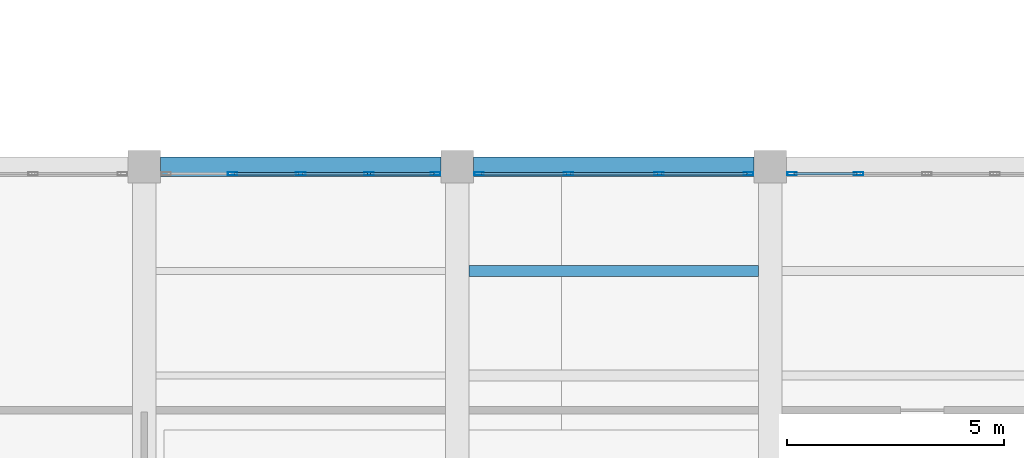
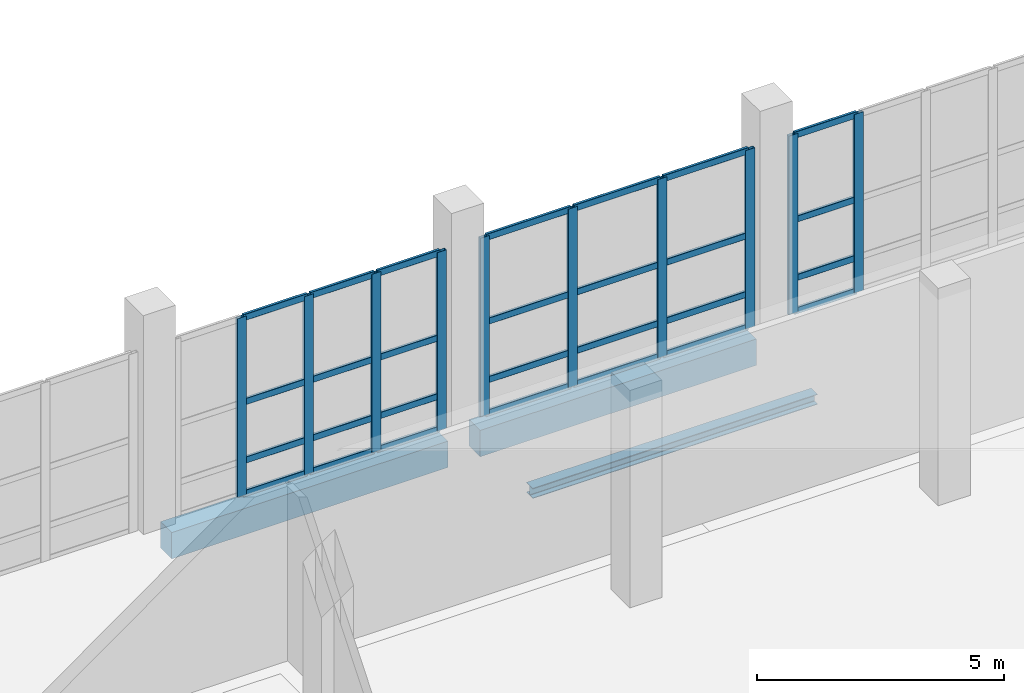
# One storey, part 38 of 137: 38 members, 3 beams, 3 elements without a shape of their own.
"""IFC4 building model written with IfcOpenShell, lengths in metres."""

from ifc_helpers import new_model, si_unit, direction, frame, origin, origin_2d, place, context, subcontext, project, spatial, rectangle, hollow_rectangle, i_section, extrude, material, material_profile, profile_set, type_object, element, aggregate, save


model = new_model("IFC4")

# Units and contexts
model_context = context("Model", 3, precision=1e-05, world=origin(), true_north=direction((0.0, 1.0)))
body_context = subcontext(model_context, "Body", "Model", "MODEL_VIEW")
ifc_project = project(units=[si_unit("LENGTHUNIT", "METRE"), si_unit("AREAUNIT", "SQUARE_METRE"), si_unit("VOLUMEUNIT", "CUBIC_METRE"), si_unit("PLANEANGLEUNIT", "RADIAN"), si_unit("MASSUNIT", "GRAM", prefix="KILO")], contexts=[model_context])

# Site, building, storey
site_placement = place(None, origin())
site = spatial("IfcSite", under=ifc_project, at=site_placement, CompositionType="ELEMENT")
building_placement = place(site_placement, origin())
building = spatial("IfcBuilding", under=site, at=building_placement, Name="Kalmorath City Hall", CompositionType="ELEMENT")
storey_placement = place(building_placement, origin())
storey = spatial("IfcBuildingStorey", under=building, at=storey_placement, Name="L00", CompositionType="ELEMENT", Elevation=0.0)

# Beams
ifc_material_1 = material(Name="Concrete C40/50", Category="concrete")
ifc_material_profile_1 = material_profile(ifc_material_1, rectangle(XDim=0.449951171875, YDim=0.64990234375, at=origin_2d()), Name="RC-BM-450X650")
ifc_profile_set_1 = profile_set([ifc_material_profile_1], Name="Concrete C40/50")
beam_type_1 = type_object("IfcBeamType", Name="Concrete spandrel beam 450x650", PredefinedType="SPANDREL", material=ifc_profile_set_1)
beam_1_placement = place(storey_placement, frame((79.574951171875, 43.199951171875, -0.62890625), z_axis=(1.0, 0.0, 0.0), x_axis=(0.0, 1.0, 0.0)))
element("IfcBeam", 1, at=beam_1_placement, inside=storey, type_object=beam_type_1, Name="L00 girder CB5 X12-13/7", PredefinedType="SPANDREL", context=body_context, shape_type="SweptSolid", body=[
    extrude(rectangle(XDim=0.449951171875, YDim=0.64990234375, at=origin_2d()), origin(), (0.0, 0.0, 1.0), 6.449951171875),
])
beam_2_placement = place(storey_placement, frame((86.77490234375, 43.199951171875, -0.62890625), z_axis=(1.0, 0.0, 0.0), x_axis=(0.0, 1.0, 0.0)))
element("IfcBeam", 2, at=beam_2_placement, inside=storey, type_object=beam_type_1, Name="L00 girder CB5 X13-14/7", PredefinedType="SPANDREL", context=body_context, shape_type="SweptSolid", body=[
    extrude(rectangle(XDim=0.449951171875, YDim=0.64990234375, at=origin_2d()), origin(), (0.0, 0.0, 1.0), 6.4501953125),
])

# Curtain wall, members
ifc_material_2 = material(Name="Anodised aluminium and laminated glass", Category="aluminium")
curtain_wall_type_1 = type_object("IfcCurtainWallType", Name="Unitised hurricane curtain wall 6270x4411 M1500", PredefinedType="NOTDEFINED", material=ifc_material_2)
curtain_wall_1_placement = place(storey_placement, origin())
curtain_wall_1 = element("IfcCurtainWall", 3, at=curtain_wall_1_placement, inside=storey, type_object=curtain_wall_type_1, Name="L00 curtain wall CW-63X44M15 #34", PredefinedType="NOTDEFINED")
ifc_material_3 = material(Name="Anodised aluminium framing", Category="aluminium")
ifc_material_profile_2 = material_profile(ifc_material_3, hollow_rectangle(XDim=0.074951171875, YDim=0.219970703125, WallThickness=0.00390625, InnerFilletRadius=0.00390625, OuterFilletRadius=0.008056640625, at=origin_2d()), Name="ALU-MUL-220X75X4")
ifc_profile_set_2 = profile_set([ifc_material_profile_2], Name="Anodised aluminium framing")
member_type_1 = type_object("IfcMemberType", Name="Curtain-wall primary mullion 220x75", PredefinedType="MULLION", material=ifc_profile_set_2)
member_1_placement = place(storey_placement, frame((81.232421875, 43.0400390625, 0.0), z_axis=(0.0, 0.0, 1.0), x_axis=(0.0, 1.0, 0.0)))
member_1 = element("IfcMember", 4, at=member_1_placement, type_object=member_type_1, Name="CW-63X44M15 mullion 2", PredefinedType="MULLION", context=body_context, shape_type="SweptSolid", body=[
    extrude(hollow_rectangle(XDim=0.074951171875, YDim=0.219970703125, WallThickness=0.00390625, InnerFilletRadius=0.00390625, OuterFilletRadius=0.008056640625, at=origin_2d()), origin(), (0.0, 0.0, 1.0), 4.410888671875),
])
member_2_placement = place(storey_placement, frame((82.800048828125, 43.0400390625, 0.0), z_axis=(0.0, 0.0, 1.0), x_axis=(0.0, 1.0, 0.0)))
member_2 = element("IfcMember", 5, at=member_2_placement, type_object=member_type_1, Name="CW-63X44M15 mullion 3", PredefinedType="MULLION", context=body_context, shape_type="SweptSolid", body=[
    extrude(hollow_rectangle(XDim=0.074951171875, YDim=0.219970703125, WallThickness=0.00390625, InnerFilletRadius=0.00390625, OuterFilletRadius=0.008056640625, at=origin_2d()), origin(), (0.0, 0.0, 1.0), 4.410888671875),
])
member_3_placement = place(storey_placement, frame((84.367431640625, 43.0400390625, 0.0), z_axis=(0.0, 0.0, 1.0), x_axis=(0.0, 1.0, 0.0)))
member_3 = element("IfcMember", 6, at=member_3_placement, type_object=member_type_1, Name="CW-63X44M15 mullion 4", PredefinedType="MULLION", context=body_context, shape_type="SweptSolid", body=[
    extrude(hollow_rectangle(XDim=0.074951171875, YDim=0.219970703125, WallThickness=0.00390625, InnerFilletRadius=0.00390625, OuterFilletRadius=0.008056640625, at=origin_2d()), origin(), (0.0, 0.0, 1.0), 4.410888671875),
])
member_4_placement = place(storey_placement, frame((85.8974609375, 43.0400390625, 0.0), z_axis=(0.0, 0.0, 1.0), x_axis=(0.0, 1.0, 0.0)))
member_4 = element("IfcMember", 7, at=member_4_placement, type_object=member_type_1, Name="CW-63X44M15 mullion 5", PredefinedType="MULLION", context=body_context, shape_type="SweptSolid", body=[
    extrude(hollow_rectangle(XDim=0.074951171875, YDim=0.219970703125, WallThickness=0.00390625, InnerFilletRadius=0.00390625, OuterFilletRadius=0.008056640625, at=origin_2d()), origin(), (0.0, 0.0, 1.0), 4.410888671875),
])

ifc_material_4 = material(Name="Anodised aluminium and laminated glass", Category="aluminium")
curtain_wall_type_2 = type_object("IfcCurtainWallType", Name="Unitised hurricane curtain wall 6270x4411 M2100", PredefinedType="NOTDEFINED", material=ifc_material_4)
curtain_wall_2_placement = place(storey_placement, origin())
curtain_wall_2 = element("IfcCurtainWall", 8, at=curtain_wall_2_placement, inside=storey, type_object=curtain_wall_type_2, Name="L00 curtain wall CW-63X44M21 #35", PredefinedType="NOTDEFINED")
member_5_placement = place(storey_placement, frame((86.902587890625, 43.0400390625, 0.0), z_axis=(0.0, 0.0, 1.0), x_axis=(0.0, 1.0, 0.0)))
member_5 = element("IfcMember", 9, at=member_5_placement, type_object=member_type_1, Name="CW-63X44M21 mullion 1", PredefinedType="MULLION", context=body_context, shape_type="SweptSolid", body=[
    extrude(hollow_rectangle(XDim=0.074951171875, YDim=0.219970703125, WallThickness=0.00390625, InnerFilletRadius=0.00390625, OuterFilletRadius=0.008056640625, at=origin_2d()), origin(), (0.0, 0.0, 1.0), 4.410888671875),
])
member_6_placement = place(storey_placement, frame((88.955078125, 43.0400390625, 0.0), z_axis=(0.0, 0.0, 1.0), x_axis=(0.0, 1.0, 0.0)))
member_6 = element("IfcMember", 10, at=member_6_placement, type_object=member_type_1, Name="CW-63X44M21 mullion 2", PredefinedType="MULLION", context=body_context, shape_type="SweptSolid", body=[
    extrude(hollow_rectangle(XDim=0.074951171875, YDim=0.219970703125, WallThickness=0.00390625, InnerFilletRadius=0.00390625, OuterFilletRadius=0.008056640625, at=origin_2d()), origin(), (0.0, 0.0, 1.0), 4.410888671875),
])
member_7_placement = place(storey_placement, frame((91.044921875, 43.0400390625, 0.0), z_axis=(0.0, 0.0, 1.0), x_axis=(0.0, 1.0, 0.0)))
member_7 = element("IfcMember", 11, at=member_7_placement, type_object=member_type_1, Name="CW-63X44M21 mullion 3", PredefinedType="MULLION", context=body_context, shape_type="SweptSolid", body=[
    extrude(hollow_rectangle(XDim=0.074951171875, YDim=0.219970703125, WallThickness=0.00390625, InnerFilletRadius=0.00390625, OuterFilletRadius=0.008056640625, at=origin_2d()), origin(), (0.0, 0.0, 1.0), 4.410888671875),
])
member_8_placement = place(storey_placement, frame((93.097412109375, 43.0400390625, 0.0), z_axis=(0.0, 0.0, 1.0), x_axis=(0.0, 1.0, 0.0)))
member_8 = element("IfcMember", 12, at=member_8_placement, type_object=member_type_1, Name="CW-63X44M21 mullion 4", PredefinedType="MULLION", context=body_context, shape_type="SweptSolid", body=[
    extrude(hollow_rectangle(XDim=0.074951171875, YDim=0.219970703125, WallThickness=0.00390625, InnerFilletRadius=0.00390625, OuterFilletRadius=0.008056640625, at=origin_2d()), origin(), (0.0, 0.0, 1.0), 4.410888671875),
])

curtain_wall_3_placement = place(storey_placement, origin())
curtain_wall_3 = element("IfcCurtainWall", 13, at=curtain_wall_3_placement, inside=storey, type_object=curtain_wall_type_1, Name="L00 curtain wall CW-63X44M15 #36", PredefinedType="NOTDEFINED")
member_9_placement = place(storey_placement, frame((94.1025390625, 43.0400390625, 0.0), z_axis=(0.0, 0.0, 1.0), x_axis=(0.0, 1.0, 0.0)))
member_9 = element("IfcMember", 14, at=member_9_placement, type_object=member_type_1, Name="CW-63X44M15 mullion 1", PredefinedType="MULLION", context=body_context, shape_type="SweptSolid", body=[
    extrude(hollow_rectangle(XDim=0.074951171875, YDim=0.219970703125, WallThickness=0.00390625, InnerFilletRadius=0.00390625, OuterFilletRadius=0.008056640625, at=origin_2d()), origin(), (0.0, 0.0, 1.0), 4.410888671875),
])
member_10_placement = place(storey_placement, frame((95.632568359375, 43.0400390625, 0.0), z_axis=(0.0, 0.0, 1.0), x_axis=(0.0, 1.0, 0.0)))
member_10 = element("IfcMember", 15, at=member_10_placement, type_object=member_type_1, Name="CW-63X44M15 mullion 2", PredefinedType="MULLION", context=body_context, shape_type="SweptSolid", body=[
    extrude(hollow_rectangle(XDim=0.074951171875, YDim=0.219970703125, WallThickness=0.00390625, InnerFilletRadius=0.00390625, OuterFilletRadius=0.008056640625, at=origin_2d()), origin(), (0.0, 0.0, 1.0), 4.410888671875),
])

# Member
ifc_material_5 = material(Name="Anodised aluminium framing", Category="aluminium")
ifc_material_profile_3 = material_profile(ifc_material_5, hollow_rectangle(XDim=0.06494140625, YDim=0.159912109375, WallThickness=0.00390625, InnerFilletRadius=0.00390625, OuterFilletRadius=0.008056640625, at=origin_2d()), Name="ALU-TRN-160X65X4")
ifc_profile_set_3 = profile_set([ifc_material_profile_3], Name="Anodised aluminium framing")
member_type_2 = type_object("IfcMemberType", Name="Curtain-wall primary transom 160x65", PredefinedType="USERDEFINED", material=ifc_profile_set_3)
member_11_placement = place(storey_placement, frame((81.27001953125, 43.0400390625, 0.032470703125), z_axis=(1.0, 0.0, 0.0), x_axis=(0.0, 1.0, 0.0)))
member_11 = element("IfcMember", 16, at=member_11_placement, type_object=member_type_2, Name="CW-63X44M15 transom 2.1", ObjectType="TRANSOM", PredefinedType="USERDEFINED", context=body_context, shape_type="SweptSolid", body=[
    extrude(hollow_rectangle(XDim=0.06494140625, YDim=0.159912109375, WallThickness=0.00390625, InnerFilletRadius=0.00390625, OuterFilletRadius=0.008056640625, at=origin_2d()), origin(), (0.0, 0.0, 1.0), 1.492431640625),
])

member_12_placement = place(storey_placement, frame((81.27001953125, 43.0400390625, 0.85009765625), z_axis=(1.0, 0.0, 0.0), x_axis=(0.0, 1.0, 0.0)))
member_12 = element("IfcMember", 17, at=member_12_placement, type_object=member_type_2, Name="CW-63X44M15 transom 2.2", ObjectType="TRANSOM", PredefinedType="USERDEFINED", context=body_context, shape_type="SweptSolid", body=[
    extrude(hollow_rectangle(XDim=0.06494140625, YDim=0.159912109375, WallThickness=0.00390625, InnerFilletRadius=0.00390625, OuterFilletRadius=0.008056640625, at=origin_2d()), origin(), (0.0, 0.0, 1.0), 1.492431640625),
])

member_13_placement = place(storey_placement, frame((81.27001953125, 43.0400390625, 2.2939453125), z_axis=(1.0, 0.0, 0.0), x_axis=(0.0, 1.0, 0.0)))
member_13 = element("IfcMember", 18, at=member_13_placement, type_object=member_type_2, Name="CW-63X44M15 transom 2.3", ObjectType="TRANSOM", PredefinedType="USERDEFINED", context=body_context, shape_type="SweptSolid", body=[
    extrude(hollow_rectangle(XDim=0.06494140625, YDim=0.159912109375, WallThickness=0.00390625, InnerFilletRadius=0.00390625, OuterFilletRadius=0.008056640625, at=origin_2d()), origin(), (0.0, 0.0, 1.0), 1.492431640625),
])

member_14_placement = place(storey_placement, frame((81.27001953125, 43.0400390625, 4.37841796875), z_axis=(1.0, 0.0, 0.0), x_axis=(0.0, 1.0, 0.0)))
member_14 = element("IfcMember", 19, at=member_14_placement, type_object=member_type_2, Name="CW-63X44M15 transom 2.4", ObjectType="TRANSOM", PredefinedType="USERDEFINED", context=body_context, shape_type="SweptSolid", body=[
    extrude(hollow_rectangle(XDim=0.06494140625, YDim=0.159912109375, WallThickness=0.00390625, InnerFilletRadius=0.00390625, OuterFilletRadius=0.008056640625, at=origin_2d()), origin(), (0.0, 0.0, 1.0), 1.492431640625),
])

member_15_placement = place(storey_placement, frame((82.83740234375, 43.0400390625, 0.032470703125), z_axis=(1.0, 0.0, 0.0), x_axis=(0.0, 1.0, 0.0)))
member_15 = element("IfcMember", 20, at=member_15_placement, type_object=member_type_2, Name="CW-63X44M15 transom 3.1", ObjectType="TRANSOM", PredefinedType="USERDEFINED", context=body_context, shape_type="SweptSolid", body=[
    extrude(hollow_rectangle(XDim=0.06494140625, YDim=0.159912109375, WallThickness=0.00390625, InnerFilletRadius=0.00390625, OuterFilletRadius=0.008056640625, at=origin_2d()), origin(), (0.0, 0.0, 1.0), 1.49267578125),
])

member_16_placement = place(storey_placement, frame((82.83740234375, 43.0400390625, 0.85009765625), z_axis=(1.0, 0.0, 0.0), x_axis=(0.0, 1.0, 0.0)))
member_16 = element("IfcMember", 21, at=member_16_placement, type_object=member_type_2, Name="CW-63X44M15 transom 3.2", ObjectType="TRANSOM", PredefinedType="USERDEFINED", context=body_context, shape_type="SweptSolid", body=[
    extrude(hollow_rectangle(XDim=0.06494140625, YDim=0.159912109375, WallThickness=0.00390625, InnerFilletRadius=0.00390625, OuterFilletRadius=0.008056640625, at=origin_2d()), origin(), (0.0, 0.0, 1.0), 1.49267578125),
])

member_17_placement = place(storey_placement, frame((82.83740234375, 43.0400390625, 2.2939453125), z_axis=(1.0, 0.0, 0.0), x_axis=(0.0, 1.0, 0.0)))
member_17 = element("IfcMember", 22, at=member_17_placement, type_object=member_type_2, Name="CW-63X44M15 transom 3.3", ObjectType="TRANSOM", PredefinedType="USERDEFINED", context=body_context, shape_type="SweptSolid", body=[
    extrude(hollow_rectangle(XDim=0.06494140625, YDim=0.159912109375, WallThickness=0.00390625, InnerFilletRadius=0.00390625, OuterFilletRadius=0.008056640625, at=origin_2d()), origin(), (0.0, 0.0, 1.0), 1.49267578125),
])

member_18_placement = place(storey_placement, frame((82.83740234375, 43.0400390625, 4.37841796875), z_axis=(1.0, 0.0, 0.0), x_axis=(0.0, 1.0, 0.0)))
member_18 = element("IfcMember", 23, at=member_18_placement, type_object=member_type_2, Name="CW-63X44M15 transom 3.4", ObjectType="TRANSOM", PredefinedType="USERDEFINED", context=body_context, shape_type="SweptSolid", body=[
    extrude(hollow_rectangle(XDim=0.06494140625, YDim=0.159912109375, WallThickness=0.00390625, InnerFilletRadius=0.00390625, OuterFilletRadius=0.008056640625, at=origin_2d()), origin(), (0.0, 0.0, 1.0), 1.49267578125),
])

member_19_placement = place(storey_placement, frame((84.405029296875, 43.0400390625, 0.032470703125), z_axis=(1.0, 0.0, 0.0), x_axis=(0.0, 1.0, 0.0)))
member_19 = element("IfcMember", 24, at=member_19_placement, type_object=member_type_2, Name="CW-63X44M15 transom 4.1", ObjectType="TRANSOM", PredefinedType="USERDEFINED", context=body_context, shape_type="SweptSolid", body=[
    extrude(hollow_rectangle(XDim=0.06494140625, YDim=0.159912109375, WallThickness=0.00390625, InnerFilletRadius=0.00390625, OuterFilletRadius=0.008056640625, at=origin_2d()), origin(), (0.0, 0.0, 1.0), 1.455078125),
])

member_20_placement = place(storey_placement, frame((84.405029296875, 43.0400390625, 0.85009765625), z_axis=(1.0, 0.0, 0.0), x_axis=(0.0, 1.0, 0.0)))
member_20 = element("IfcMember", 25, at=member_20_placement, type_object=member_type_2, Name="CW-63X44M15 transom 4.2", ObjectType="TRANSOM", PredefinedType="USERDEFINED", context=body_context, shape_type="SweptSolid", body=[
    extrude(hollow_rectangle(XDim=0.06494140625, YDim=0.159912109375, WallThickness=0.00390625, InnerFilletRadius=0.00390625, OuterFilletRadius=0.008056640625, at=origin_2d()), origin(), (0.0, 0.0, 1.0), 1.455078125),
])

member_21_placement = place(storey_placement, frame((84.405029296875, 43.0400390625, 2.2939453125), z_axis=(1.0, 0.0, 0.0), x_axis=(0.0, 1.0, 0.0)))
member_21 = element("IfcMember", 26, at=member_21_placement, type_object=member_type_2, Name="CW-63X44M15 transom 4.3", ObjectType="TRANSOM", PredefinedType="USERDEFINED", context=body_context, shape_type="SweptSolid", body=[
    extrude(hollow_rectangle(XDim=0.06494140625, YDim=0.159912109375, WallThickness=0.00390625, InnerFilletRadius=0.00390625, OuterFilletRadius=0.008056640625, at=origin_2d()), origin(), (0.0, 0.0, 1.0), 1.455078125),
])

member_22_placement = place(storey_placement, frame((84.405029296875, 43.0400390625, 4.37841796875), z_axis=(1.0, 0.0, 0.0), x_axis=(0.0, 1.0, 0.0)))
member_22 = element("IfcMember", 27, at=member_22_placement, type_object=member_type_2, Name="CW-63X44M15 transom 4.4", ObjectType="TRANSOM", PredefinedType="USERDEFINED", context=body_context, shape_type="SweptSolid", body=[
    extrude(hollow_rectangle(XDim=0.06494140625, YDim=0.159912109375, WallThickness=0.00390625, InnerFilletRadius=0.00390625, OuterFilletRadius=0.008056640625, at=origin_2d()), origin(), (0.0, 0.0, 1.0), 1.455078125),
])

aggregate(curtain_wall_1, [member_1, member_2, member_3, member_4, member_11, member_12, member_13, member_14, member_15, member_16, member_17, member_18, member_19, member_20, member_21, member_22])

member_23_placement = place(storey_placement, frame((86.93994140625, 43.0400390625, 0.032470703125), z_axis=(1.0, 0.0, 0.0), x_axis=(0.0, 1.0, 0.0)))
member_23 = element("IfcMember", 28, at=member_23_placement, type_object=member_type_2, Name="CW-63X44M21 transom 1.1", ObjectType="TRANSOM", PredefinedType="USERDEFINED", context=body_context, shape_type="SweptSolid", body=[
    extrude(hollow_rectangle(XDim=0.06494140625, YDim=0.159912109375, WallThickness=0.00390625, InnerFilletRadius=0.00390625, OuterFilletRadius=0.008056640625, at=origin_2d()), origin(), (0.0, 0.0, 1.0), 1.9775390625),
])

member_24_placement = place(storey_placement, frame((86.93994140625, 43.0400390625, 0.85009765625), z_axis=(1.0, 0.0, 0.0), x_axis=(0.0, 1.0, 0.0)))
member_24 = element("IfcMember", 29, at=member_24_placement, type_object=member_type_2, Name="CW-63X44M21 transom 1.2", ObjectType="TRANSOM", PredefinedType="USERDEFINED", context=body_context, shape_type="SweptSolid", body=[
    extrude(hollow_rectangle(XDim=0.06494140625, YDim=0.159912109375, WallThickness=0.00390625, InnerFilletRadius=0.00390625, OuterFilletRadius=0.008056640625, at=origin_2d()), origin(), (0.0, 0.0, 1.0), 1.9775390625),
])

member_25_placement = place(storey_placement, frame((86.93994140625, 43.0400390625, 2.2939453125), z_axis=(1.0, 0.0, 0.0), x_axis=(0.0, 1.0, 0.0)))
member_25 = element("IfcMember", 30, at=member_25_placement, type_object=member_type_2, Name="CW-63X44M21 transom 1.3", ObjectType="TRANSOM", PredefinedType="USERDEFINED", context=body_context, shape_type="SweptSolid", body=[
    extrude(hollow_rectangle(XDim=0.06494140625, YDim=0.159912109375, WallThickness=0.00390625, InnerFilletRadius=0.00390625, OuterFilletRadius=0.008056640625, at=origin_2d()), origin(), (0.0, 0.0, 1.0), 1.9775390625),
])

member_26_placement = place(storey_placement, frame((86.93994140625, 43.0400390625, 4.37841796875), z_axis=(1.0, 0.0, 0.0), x_axis=(0.0, 1.0, 0.0)))
member_26 = element("IfcMember", 31, at=member_26_placement, type_object=member_type_2, Name="CW-63X44M21 transom 1.4", ObjectType="TRANSOM", PredefinedType="USERDEFINED", context=body_context, shape_type="SweptSolid", body=[
    extrude(hollow_rectangle(XDim=0.06494140625, YDim=0.159912109375, WallThickness=0.00390625, InnerFilletRadius=0.00390625, OuterFilletRadius=0.008056640625, at=origin_2d()), origin(), (0.0, 0.0, 1.0), 1.9775390625),
])

member_27_placement = place(storey_placement, frame((88.992431640625, 43.0400390625, 0.032470703125), z_axis=(1.0, 0.0, 0.0), x_axis=(0.0, 1.0, 0.0)))
member_27 = element("IfcMember", 32, at=member_27_placement, type_object=member_type_2, Name="CW-63X44M21 transom 2.1", ObjectType="TRANSOM", PredefinedType="USERDEFINED", context=body_context, shape_type="SweptSolid", body=[
    extrude(hollow_rectangle(XDim=0.06494140625, YDim=0.159912109375, WallThickness=0.00390625, InnerFilletRadius=0.00390625, OuterFilletRadius=0.008056640625, at=origin_2d()), origin(), (0.0, 0.0, 1.0), 2.01513671875),
])

member_28_placement = place(storey_placement, frame((88.992431640625, 43.0400390625, 0.85009765625), z_axis=(1.0, 0.0, 0.0), x_axis=(0.0, 1.0, 0.0)))
member_28 = element("IfcMember", 33, at=member_28_placement, type_object=member_type_2, Name="CW-63X44M21 transom 2.2", ObjectType="TRANSOM", PredefinedType="USERDEFINED", context=body_context, shape_type="SweptSolid", body=[
    extrude(hollow_rectangle(XDim=0.06494140625, YDim=0.159912109375, WallThickness=0.00390625, InnerFilletRadius=0.00390625, OuterFilletRadius=0.008056640625, at=origin_2d()), origin(), (0.0, 0.0, 1.0), 2.01513671875),
])

member_29_placement = place(storey_placement, frame((88.992431640625, 43.0400390625, 2.2939453125), z_axis=(1.0, 0.0, 0.0), x_axis=(0.0, 1.0, 0.0)))
member_29 = element("IfcMember", 34, at=member_29_placement, type_object=member_type_2, Name="CW-63X44M21 transom 2.3", ObjectType="TRANSOM", PredefinedType="USERDEFINED", context=body_context, shape_type="SweptSolid", body=[
    extrude(hollow_rectangle(XDim=0.06494140625, YDim=0.159912109375, WallThickness=0.00390625, InnerFilletRadius=0.00390625, OuterFilletRadius=0.008056640625, at=origin_2d()), origin(), (0.0, 0.0, 1.0), 2.01513671875),
])

member_30_placement = place(storey_placement, frame((88.992431640625, 43.0400390625, 4.37841796875), z_axis=(1.0, 0.0, 0.0), x_axis=(0.0, 1.0, 0.0)))
member_30 = element("IfcMember", 35, at=member_30_placement, type_object=member_type_2, Name="CW-63X44M21 transom 2.4", ObjectType="TRANSOM", PredefinedType="USERDEFINED", context=body_context, shape_type="SweptSolid", body=[
    extrude(hollow_rectangle(XDim=0.06494140625, YDim=0.159912109375, WallThickness=0.00390625, InnerFilletRadius=0.00390625, OuterFilletRadius=0.008056640625, at=origin_2d()), origin(), (0.0, 0.0, 1.0), 2.01513671875),
])

member_31_placement = place(storey_placement, frame((91.08251953125, 43.0400390625, 0.032470703125), z_axis=(1.0, 0.0, 0.0), x_axis=(0.0, 1.0, 0.0)))
member_31 = element("IfcMember", 36, at=member_31_placement, type_object=member_type_2, Name="CW-63X44M21 transom 3.1", ObjectType="TRANSOM", PredefinedType="USERDEFINED", context=body_context, shape_type="SweptSolid", body=[
    extrude(hollow_rectangle(XDim=0.06494140625, YDim=0.159912109375, WallThickness=0.00390625, InnerFilletRadius=0.00390625, OuterFilletRadius=0.008056640625, at=origin_2d()), origin(), (0.0, 0.0, 1.0), 1.9775390625),
])

member_32_placement = place(storey_placement, frame((91.08251953125, 43.0400390625, 0.85009765625), z_axis=(1.0, 0.0, 0.0), x_axis=(0.0, 1.0, 0.0)))
member_32 = element("IfcMember", 37, at=member_32_placement, type_object=member_type_2, Name="CW-63X44M21 transom 3.2", ObjectType="TRANSOM", PredefinedType="USERDEFINED", context=body_context, shape_type="SweptSolid", body=[
    extrude(hollow_rectangle(XDim=0.06494140625, YDim=0.159912109375, WallThickness=0.00390625, InnerFilletRadius=0.00390625, OuterFilletRadius=0.008056640625, at=origin_2d()), origin(), (0.0, 0.0, 1.0), 1.9775390625),
])

member_33_placement = place(storey_placement, frame((91.08251953125, 43.0400390625, 2.2939453125), z_axis=(1.0, 0.0, 0.0), x_axis=(0.0, 1.0, 0.0)))
member_33 = element("IfcMember", 38, at=member_33_placement, type_object=member_type_2, Name="CW-63X44M21 transom 3.3", ObjectType="TRANSOM", PredefinedType="USERDEFINED", context=body_context, shape_type="SweptSolid", body=[
    extrude(hollow_rectangle(XDim=0.06494140625, YDim=0.159912109375, WallThickness=0.00390625, InnerFilletRadius=0.00390625, OuterFilletRadius=0.008056640625, at=origin_2d()), origin(), (0.0, 0.0, 1.0), 1.9775390625),
])

member_34_placement = place(storey_placement, frame((91.08251953125, 43.0400390625, 4.37841796875), z_axis=(1.0, 0.0, 0.0), x_axis=(0.0, 1.0, 0.0)))
member_34 = element("IfcMember", 39, at=member_34_placement, type_object=member_type_2, Name="CW-63X44M21 transom 3.4", ObjectType="TRANSOM", PredefinedType="USERDEFINED", context=body_context, shape_type="SweptSolid", body=[
    extrude(hollow_rectangle(XDim=0.06494140625, YDim=0.159912109375, WallThickness=0.00390625, InnerFilletRadius=0.00390625, OuterFilletRadius=0.008056640625, at=origin_2d()), origin(), (0.0, 0.0, 1.0), 1.9775390625),
])

aggregate(curtain_wall_2, [member_5, member_6, member_7, member_8, member_23, member_24, member_25, member_26, member_27, member_28, member_29, member_30, member_31, member_32, member_33, member_34])

member_35_placement = place(storey_placement, frame((94.139892578125, 43.0400390625, 0.032470703125), z_axis=(1.0, 0.0, 0.0), x_axis=(0.0, 1.0, 0.0)))
member_35 = element("IfcMember", 40, at=member_35_placement, type_object=member_type_2, Name="CW-63X44M15 transom 1.1", ObjectType="TRANSOM", PredefinedType="USERDEFINED", context=body_context, shape_type="SweptSolid", body=[
    extrude(hollow_rectangle(XDim=0.06494140625, YDim=0.159912109375, WallThickness=0.00390625, InnerFilletRadius=0.00390625, OuterFilletRadius=0.008056640625, at=origin_2d()), origin(), (0.0, 0.0, 1.0), 1.455078125),
])

member_36_placement = place(storey_placement, frame((94.139892578125, 43.0400390625, 0.85009765625), z_axis=(1.0, 0.0, 0.0), x_axis=(0.0, 1.0, 0.0)))
member_36 = element("IfcMember", 41, at=member_36_placement, type_object=member_type_2, Name="CW-63X44M15 transom 1.2", ObjectType="TRANSOM", PredefinedType="USERDEFINED", context=body_context, shape_type="SweptSolid", body=[
    extrude(hollow_rectangle(XDim=0.06494140625, YDim=0.159912109375, WallThickness=0.00390625, InnerFilletRadius=0.00390625, OuterFilletRadius=0.008056640625, at=origin_2d()), origin(), (0.0, 0.0, 1.0), 1.455078125),
])

member_37_placement = place(storey_placement, frame((94.139892578125, 43.0400390625, 2.2939453125), z_axis=(1.0, 0.0, 0.0), x_axis=(0.0, 1.0, 0.0)))
member_37 = element("IfcMember", 42, at=member_37_placement, type_object=member_type_2, Name="CW-63X44M15 transom 1.3", ObjectType="TRANSOM", PredefinedType="USERDEFINED", context=body_context, shape_type="SweptSolid", body=[
    extrude(hollow_rectangle(XDim=0.06494140625, YDim=0.159912109375, WallThickness=0.00390625, InnerFilletRadius=0.00390625, OuterFilletRadius=0.008056640625, at=origin_2d()), origin(), (0.0, 0.0, 1.0), 1.455078125),
])

member_38_placement = place(storey_placement, frame((94.139892578125, 43.0400390625, 4.37841796875), z_axis=(1.0, 0.0, 0.0), x_axis=(0.0, 1.0, 0.0)))
member_38 = element("IfcMember", 43, at=member_38_placement, type_object=member_type_2, Name="CW-63X44M15 transom 1.4", ObjectType="TRANSOM", PredefinedType="USERDEFINED", context=body_context, shape_type="SweptSolid", body=[
    extrude(hollow_rectangle(XDim=0.06494140625, YDim=0.159912109375, WallThickness=0.00390625, InnerFilletRadius=0.00390625, OuterFilletRadius=0.008056640625, at=origin_2d()), origin(), (0.0, 0.0, 1.0), 1.455078125),
])

aggregate(curtain_wall_3, [member_9, member_10, member_35, member_36, member_37, member_38])

# Beam
ifc_material_6 = material(Name="Steel ASTM A992 Grade 50", Category="steel")
ifc_material_profile_4 = material_profile(ifc_material_6, i_section(OverallWidth=0.25390625, OverallDepth=0.2529296875, WebThickness=0.008544921875, FlangeThickness=0.01416015625, FilletRadius=0.011962890625, at=origin_2d()), Name="W10X49")
ifc_profile_set_4 = profile_set([ifc_material_profile_4], Name="Steel ASTM A992 Grade 50")
beam_type_2 = type_object("IfcBeamType", Name="Steel trimmer beam W10X49", PredefinedType="BEAM", material=ifc_profile_set_4)
beam_3_placement = place(storey_placement, frame((86.675048828125, 40.800048828125, -0.430419921875), z_axis=(1.0, 0.0, 0.0), x_axis=(0.0, 1.0, 0.0)))
element("IfcBeam", 44, at=beam_3_placement, inside=storey, type_object=beam_type_2, Name="L00 joist SJ14 13.6.2", PredefinedType="BEAM", context=body_context, shape_type="SweptSolid", body=[
    extrude(i_section(OverallWidth=0.25390625, OverallDepth=0.2529296875, WebThickness=0.008544921875, FlangeThickness=0.01416015625, FilletRadius=0.011962890625, at=origin_2d()), origin(), (0.0, 0.0, 1.0), 6.64990234375),
])

save(model, "model.ifc")
